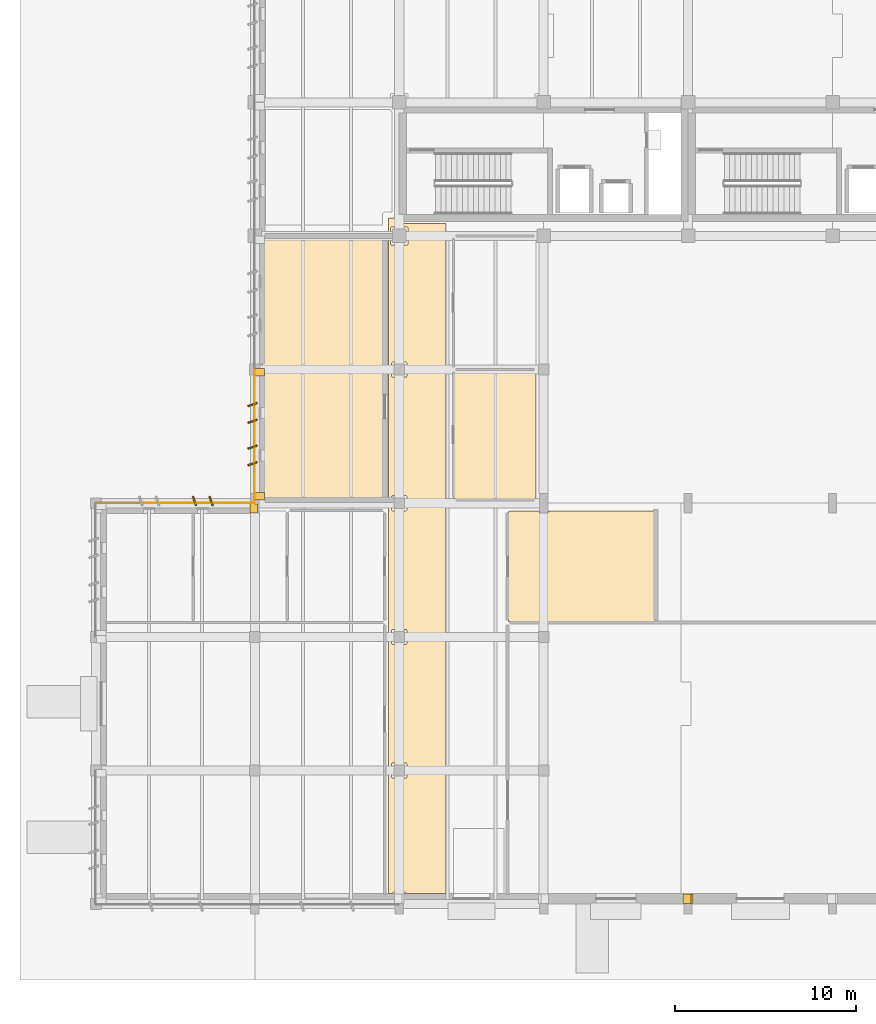
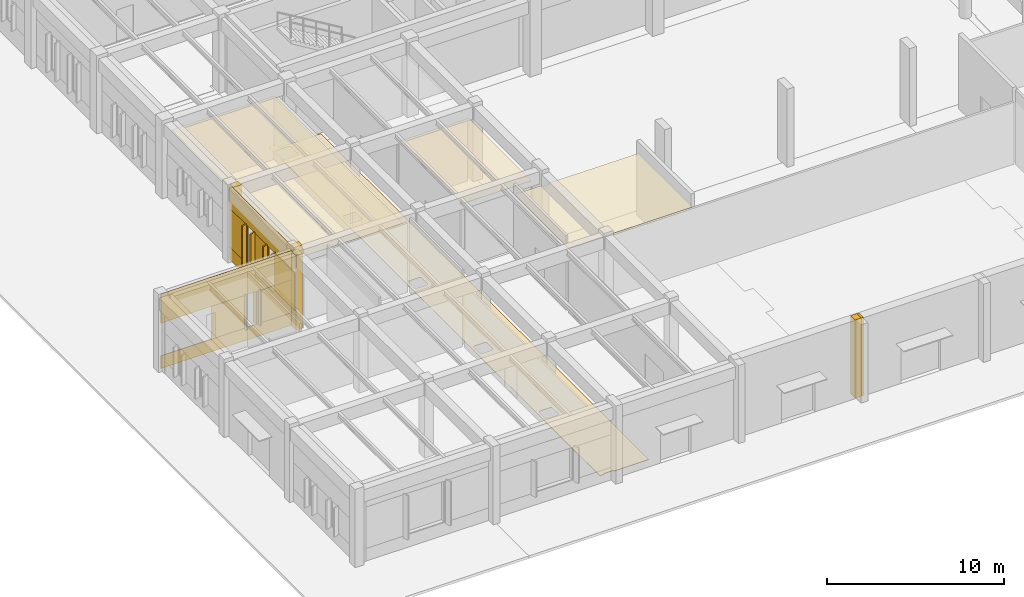
# One storey, part 34 of 56: 24 coverings.
"""IFC4 building model written with IfcOpenShell, lengths in metres."""

import ifcopenshell
import ifcopenshell.guid

model = None  # the IFC model being written
_history = None  # IfcOwnerHistory: only IFC2X3 demands one
_inside = {}  # id of a spatial element -> (the spatial element, [elements in it])
_under = {}  # id of a project, library or spatial element -> (it, [spatial elements below it])
_declared = {}  # id of a project -> (the project, [libraries it declares])
_typed = {}  # id of a type object -> (the type object, [elements of that type])
_made_of = {}  # id of a material, layer set ... -> (it, [elements and type objects made of it])


def new_model(schema):
    """Start an empty IFC model of exactly this schema.

    Asked for "IFC4X3", IfcOpenShell would pick the latest addendum, in which some entities
    have other attributes; the version numbers below select the first issue.
    IFC2X3 requires an IfcOwnerHistory on every rooted entity: one is made here for all.
    """
    global model, _history
    if schema == "IFC4X3":
        model = ifcopenshell.file(schema_version=(4, 3, 0, 0))
    else:
        model = ifcopenshell.file(schema=schema)
    _inside.clear()
    _under.clear()
    _declared.clear()
    _typed.clear()
    _made_of.clear()
    _history = None
    if model.schema == "IFC2X3":
        org = make("IfcOrganization", Name="unknown")
        user = make(
            "IfcPersonAndOrganization",
            ThePerson=make("IfcPerson", FamilyName="unknown"),
            TheOrganization=org,
        )
        app = make(
            "IfcApplication",
            ApplicationDeveloper=org,
            Version="unknown",
            ApplicationFullName="unknown",
            ApplicationIdentifier="unknown",
        )
        _history = make(
            "IfcOwnerHistory",
            OwningUser=user,
            OwningApplication=app,
            ChangeAction="ADDED",
            CreationDate=0,
        )
    return model


def make(cls, **values):
    """One entity of the class cls with the attributes given. An attribute that is None is left unset."""
    return model.create_entity(
        cls, **{name: value for name, value in values.items() if value is not None}
    )


def rooted(cls, **values):
    """An entity with a GlobalId (a new one), such as an element, a storey or a relation."""
    return make(cls, GlobalId=ifcopenshell.guid.new(), OwnerHistory=_history, **values)


def si_unit(unit_type, name, prefix=None):
    """IfcSIUnit, for example si_unit("LENGTHUNIT", "METRE", prefix="MILLI")."""
    return make("IfcSIUnit", UnitType=unit_type, Prefix=prefix, Name=name)


def assignment(units):
    """IfcUnitAssignment: the units of a project."""
    return None if units is None else make("IfcUnitAssignment", Units=units)


def point(xyz):
    """IfcCartesianPoint."""
    return None if xyz is None else make("IfcCartesianPoint", Coordinates=xyz)


def direction(xyz):
    """IfcDirection."""
    return None if xyz is None else make("IfcDirection", DirectionRatios=xyz)


def frame(location, z_axis=None, x_axis=None):
    """IfcAxis2Placement3D, a coordinate frame: its origin and axes. An axis left out is left unset."""
    return make(
        "IfcAxis2Placement3D",
        Location=point(location),
        Axis=direction(z_axis),
        RefDirection=direction(x_axis),
    )


def frame_2d(location, x_axis=None):
    """IfcAxis2Placement2D, a coordinate frame in the plane: its origin and x axis."""
    return make(
        "IfcAxis2Placement2D", Location=point(location), RefDirection=direction(x_axis)
    )


def origin():
    """The frame at (0, 0, 0) with its axes left unset."""
    return frame((0.0, 0.0, 0.0))


def origin_2d():
    """The frame at (0, 0) in the plane with its x axis left unset."""
    return frame_2d((0.0, 0.0))


def place(relative_to, where):
    """IfcLocalPlacement: puts the frame where relative to a parent placement (None: the world)."""
    return make(
        "IfcLocalPlacement", PlacementRelTo=relative_to, RelativePlacement=where
    )


def context(
    kind, dimensions, precision=None, world=None, true_north=None, identifier=None
):
    """IfcGeometricRepresentationContext, for example the 3D "Model" context."""
    return make(
        "IfcGeometricRepresentationContext",
        ContextIdentifier=identifier,
        ContextType=kind,
        CoordinateSpaceDimension=dimensions,
        Precision=precision,
        WorldCoordinateSystem=world,
        TrueNorth=true_north,
    )


def subcontext(parent, identifier, kind, view, scale=None):
    """IfcGeometricRepresentationSubContext, for example "Body" below "Model"."""
    return make(
        "IfcGeometricRepresentationSubContext",
        ContextIdentifier=identifier,
        ContextType=kind,
        ParentContext=parent,
        TargetScale=scale,
        TargetView=view,
    )


def project(units=None, contexts=None):
    """IfcProject with its units and contexts."""
    return rooted(
        "IfcProject",
        Name="project",
        RepresentationContexts=contexts,
        UnitsInContext=assignment(units),
    )


def spatial(cls, under=None, at=None, **own):
    """A site, building, storey or space (cls), placed at a placement, below another one or the project."""
    s = rooted(cls, ObjectPlacement=at, **own)
    if under is not None:
        _under.setdefault(under.id(), (under, []))[1].append(s)
    return s


def polyline(points):
    """IfcPolyline through the points."""
    return make("IfcPolyline", Points=[point(p) for p in points])


def profile(cls, at=None, kind="AREA", **sizes):
    """A parametric profile (cls). Its sizes go by their IFC names, for example OverallWidth=200.0."""
    return make(cls, ProfileType=kind, Position=at, **sizes)


def rectangle(**sizes):
    """IfcRectangleProfileDef."""
    return profile("IfcRectangleProfileDef", **sizes)


def outline(outer, holes=None, kind="AREA"):
    """IfcArbitraryClosedProfileDef: a profile drawn as a closed curve; with holes, ...WithVoids."""
    if holes is None:
        return make("IfcArbitraryClosedProfileDef", ProfileType=kind, OuterCurve=outer)
    return make(
        "IfcArbitraryProfileDefWithVoids",
        ProfileType=kind,
        OuterCurve=outer,
        InnerCurves=holes,
    )


def extrude(swept, where, along, depth):
    """IfcExtrudedAreaSolid: the profile swept, set in the frame where, extruded along a direction by depth."""
    return make(
        "IfcExtrudedAreaSolid",
        SweptArea=swept,
        Position=where,
        ExtrudedDirection=direction(along),
        Depth=depth,
    )


def shape(context_of_items, identifier, shape_type, items):
    """IfcShapeRepresentation: the items that make up one representation, for example the "Body"."""
    return make(
        "IfcShapeRepresentation",
        ContextOfItems=context_of_items,
        RepresentationIdentifier=identifier,
        RepresentationType=shape_type,
        Items=items,
    )


def material(Name=None, Category=None):
    """IfcMaterial."""
    return make("IfcMaterial", Name=Name, Category=Category)


def layer(
    of_material, thickness, ventilated=None, Name=None, Category=None, Priority=None
):
    """IfcMaterialLayer: one layer of a wall or slab, of a material (None: an air gap)."""
    return make(
        "IfcMaterialLayer",
        Material=of_material,
        LayerThickness=thickness,
        IsVentilated=ventilated,
        Name=Name,
        Category=Category,
        Priority=Priority,
    )


def layer_set(layers, Name=None):
    """IfcMaterialLayerSet."""
    return make("IfcMaterialLayerSet", MaterialLayers=layers, LayerSetName=Name)


def made_of(thing, what):
    """Note that an element or type object is made of a material, layer set ...; save() writes the relation."""
    if what is not None:
        _made_of.setdefault(what.id(), (what, []))[1].append(thing)
    return thing


def type_object(cls, material=None, **own):
    """A type object (cls), such as IfcWallType, which elements share."""
    return made_of(rooted(cls, **own), material)


def element(
    cls,
    number,
    at=None,
    inside=None,
    cuts=None,
    type_object=None,
    material=None,
    context=None,
    identifier="Body",
    shape_type=None,
    held_by="IfcProductDefinitionShape",
    body=None,
    shapes=None,
    **own,
):
    """One element of the class cls, such as IfcWall. Its Tag is "e" and its number.

    at: its placement. inside: the storey or other place that contains it. cuts: it is an
    opening in that element (IfcRelVoidsElement). A single representation is given by context,
    identifier, shape_type and body (its items); several are given by shapes. held_by: the class
    of the entity that holds the representations. save() writes the other relations.
    """
    e = rooted(cls, Tag="e%d" % number, ObjectPlacement=at, **own)
    if body is not None:
        shapes = [shape(context, identifier, shape_type, body)]
    if shapes is not None:
        e.Representation = make(held_by, Representations=shapes)
    if inside is not None:
        _inside.setdefault(inside.id(), (inside, []))[1].append(e)
    if cuts is not None:
        rooted(
            "IfcRelVoidsElement", RelatingBuildingElement=cuts, RelatedOpeningElement=e
        )
    if type_object is not None:
        _typed.setdefault(type_object.id(), (type_object, []))[1].append(e)
    return made_of(e, material)


def aggregate(whole, parts):
    """IfcRelAggregates: a whole, such as a stair, and the parts it consists of."""
    return rooted("IfcRelAggregates", RelatingObject=whole, RelatedObjects=parts)


def save(model, path):
    """Write the relations noted so far, then the file.

    IfcRelAggregates (storeys below a building ...), IfcRelContainedInSpatialStructure (elements
    in a storey), IfcRelDefinesByType, IfcRelAssociatesMaterial and IfcRelDeclares: one each for
    every whole, place, type object, material and project.
    """
    for whole, parts in _under.values():
        aggregate(whole, parts)
    for where, things in _inside.values():
        rooted(
            "IfcRelContainedInSpatialStructure",
            RelatedElements=things,
            RelatingStructure=where,
        )
    for kind, things in _typed.values():
        rooted("IfcRelDefinesByType", RelatedObjects=things, RelatingType=kind)
    for what, things in _made_of.values():
        rooted("IfcRelAssociatesMaterial", RelatedObjects=things, RelatingMaterial=what)
    for by, libraries in _declared.values():
        rooted("IfcRelDeclares", RelatingContext=by, RelatedDefinitions=libraries)
    model.write(path)


model = new_model("IFC4")

# Units and contexts
model_context = context("Model", 3, precision=1e-05, world=origin(), true_north=direction((0.0, 1.0)))
body_context = subcontext(model_context, "Body", "Model", "MODEL_VIEW")
ifc_project = project(units=[si_unit("LENGTHUNIT", "METRE"), si_unit("AREAUNIT", "SQUARE_METRE"), si_unit("VOLUMEUNIT", "CUBIC_METRE"), si_unit("PLANEANGLEUNIT", "RADIAN"), si_unit("MASSUNIT", "GRAM", prefix="KILO")], contexts=[model_context])

# Site, building, storey
site_placement = place(None, origin())
site = spatial("IfcSite", under=ifc_project, at=site_placement, CompositionType="ELEMENT")
building_placement = place(site_placement, origin())
building = spatial("IfcBuilding", under=site, at=building_placement, Name="Valkorina Park Police Headquarters", CompositionType="ELEMENT")
storey_placement = place(building_placement, origin())
storey = spatial("IfcBuildingStorey", under=building, at=storey_placement, Name="L01", CompositionType="ELEMENT", Elevation=0.0)

# Coverings
ifc_material_1 = material(Name="Acoustic mineral board")
ifc_layer_1 = layer(ifc_material_1, 0.02490234375)
ifc_layer_set_1 = layer_set([ifc_layer_1], Name="Acoustic mineral board")
covering_type_1 = type_object("IfcCoveringType", Name="COV-CEILING-ACOUST", PredefinedType="CEILING", material=ifc_layer_set_1)
covering_1_placement = place(storey_placement, frame((0.0, 0.0, 4.264892578125)))
element("IfcCovering", 1, at=covering_1_placement, inside=storey, type_object=covering_type_1, Name="Public Female WC Acoustic Suspended Ceiling", PredefinedType="CEILING", context=body_context, shape_type="SweptSolid", body=[
    extrude(outline(polyline([(24.3583984375, 22.50439453125), (24.359619140625, 22.51220703125), (24.360107421875, 22.52001953125), (24.360107421875, 29.47998046875), (24.359619140625, 29.48779296875), (24.3583984375, 29.49560546875), (24.356689453125, 29.503173828125), (24.35400390625, 29.510498046875), (24.3505859375, 29.517578125), (24.346435546875, 29.5244140625), (24.341796875, 29.53076171875), (24.336669921875, 29.53662109375), (24.330810546875, 29.541748046875), (24.324462890625, 29.54638671875), (24.317626953125, 29.550537109375), (24.310546875, 29.553955078125), (24.30322265625, 29.556640625), (24.295654296875, 29.55859375), (24.287841796875, 29.5595703125), (24.280029296875, 29.56005859375), (19.919921875, 29.56005859375), (19.912109375, 29.5595703125), (19.904296875, 29.55859375), (19.896728515625, 29.556640625), (19.889404296875, 29.553955078125), (19.88232421875, 29.550537109375), (19.87548828125, 29.54638671875), (19.869140625, 29.541748046875), (19.86328125, 29.53662109375), (19.858154296875, 29.53076171875), (19.853515625, 29.5244140625), (19.849365234375, 29.517578125), (19.84619140625, 29.510498046875), (19.843505859375, 29.503173828125), (19.841552734375, 29.49560546875), (19.84033203125, 29.48779296875), (19.840087890625, 29.47998046875), (19.840087890625, 22.52001953125), (19.84033203125, 22.51220703125), (19.841552734375, 22.50439453125), (19.843505859375, 22.496826171875), (19.84619140625, 22.489501953125), (19.849365234375, 22.482421875), (19.853515625, 22.4755859375), (19.858154296875, 22.46923828125), (19.86328125, 22.46337890625), (19.869140625, 22.458251953125), (19.87548828125, 22.45361328125), (19.88232421875, 22.449462890625), (19.889404296875, 22.446044921875), (19.896728515625, 22.443359375), (19.904296875, 22.44140625), (19.912109375, 22.4404296875), (19.919921875, 22.43994140625), (24.280029296875, 22.43994140625), (24.287841796875, 22.4404296875), (24.295654296875, 22.44140625), (24.30322265625, 22.443359375), (24.310546875, 22.446044921875), (24.317626953125, 22.449462890625), (24.324462890625, 22.45361328125), (24.330810546875, 22.458251953125), (24.336669921875, 22.46337890625), (24.341796875, 22.46923828125), (24.346435546875, 22.4755859375), (24.3505859375, 22.482421875), (24.35400390625, 22.489501953125), (24.356689453125, 22.496826171875), (24.3583984375, 22.50439453125)])), origin(), (0.0, 0.0, 1.0), 0.025146484375),
])
covering_2_placement = place(storey_placement, frame((0.0, 0.0, 4.264892578125)))
element("IfcCovering", 2, at=covering_2_placement, inside=storey, type_object=covering_type_1, Name="Public Interview Room 1 Acoustic Suspended Ceiling", PredefinedType="CEILING", context=body_context, shape_type="SweptSolid", body=[
    extrude(outline(polyline([(25.02490234375, 21.749267578125), (25.02490234375, 21.64990234375), (24.574951171875, 21.64990234375), (24.574951171875, 21.749267578125), (24.57275390625, 21.75048828125), (24.565673828125, 21.75390625), (24.55810546875, 21.756591796875), (24.550537109375, 21.758544921875), (24.542724609375, 21.759521484375), (24.534912109375, 21.760009765625), (22.919921875, 21.760009765625), (22.912109375, 21.759521484375), (22.904296875, 21.758544921875), (22.896728515625, 21.756591796875), (22.889404296875, 21.75390625), (22.88232421875, 21.75048828125), (22.87548828125, 21.74658203125), (22.869140625, 21.74169921875), (22.86328125, 21.736572265625), (22.858154296875, 21.730712890625), (22.853515625, 21.724365234375), (22.849365234375, 21.7177734375), (22.84619140625, 21.710693359375), (22.843505859375, 21.703125), (22.841552734375, 21.695556640625), (22.84033203125, 21.687744140625), (22.840087890625, 21.679931640625), (22.840087890625, 15.719970703125), (22.84033203125, 15.712158203125), (22.841552734375, 15.704345703125), (22.843505859375, 15.69677734375), (22.84619140625, 15.689453125), (22.849365234375, 15.682373046875), (22.853515625, 15.675537109375), (22.858154296875, 15.669189453125), (22.86328125, 15.663330078125), (22.869140625, 15.658203125), (22.87548828125, 15.653564453125), (22.88232421875, 15.6494140625), (22.889404296875, 15.64599609375), (22.896728515625, 15.643310546875), (22.904296875, 15.6416015625), (22.912109375, 15.640380859375), (22.919921875, 15.639892578125), (30.8798828125, 15.639892578125), (30.8876953125, 15.640380859375), (30.8955078125, 15.6416015625), (30.9033203125, 15.643310546875), (30.91064453125, 15.64599609375), (30.917724609375, 15.6494140625), (30.92431640625, 15.653564453125), (30.930908203125, 15.658203125), (30.9365234375, 15.663330078125), (30.94189453125, 15.669189453125), (30.946533203125, 15.675537109375), (30.95068359375, 15.682373046875), (30.953857421875, 15.689453125), (30.95654296875, 15.69677734375), (30.95849609375, 15.704345703125), (30.959716796875, 15.712158203125), (30.9599609375, 15.719970703125), (30.9599609375, 21.679931640625), (30.959716796875, 21.687744140625), (30.95849609375, 21.695556640625), (30.95654296875, 21.703125), (30.953857421875, 21.710693359375), (30.95068359375, 21.7177734375), (30.946533203125, 21.724365234375), (30.94189453125, 21.730712890625), (30.9365234375, 21.736572265625), (30.930908203125, 21.74169921875), (30.92431640625, 21.74658203125), (30.917724609375, 21.75048828125), (30.91064453125, 21.75390625), (30.9033203125, 21.756591796875), (30.8955078125, 21.758544921875), (30.8876953125, 21.759521484375), (30.8798828125, 21.760009765625), (25.06494140625, 21.760009765625), (25.05712890625, 21.759521484375), (25.04931640625, 21.758544921875), (25.041748046875, 21.756591796875), (25.034423828125, 21.75390625), (25.02734375, 21.75048828125), (25.02490234375, 21.749267578125)])), origin(), (0.0, 0.0, 1.0), 0.025146484375),
])
covering_3_placement = place(storey_placement, frame((0.0, 0.0, 4.264892578125)))
element("IfcCovering", 3, at=covering_3_placement, inside=storey, type_object=covering_type_1, Name="Fire Command Centre Acoustic Suspended Ceiling", PredefinedType="CEILING", context=body_context, shape_type="SweptSolid", body=[
    extrude(outline(polyline([(15.95849609375, 22.50439453125), (15.959716796875, 22.51220703125), (15.9599609375, 22.52001953125), (15.9599609375, 36.8798828125), (15.959716796875, 36.8876953125), (15.95849609375, 36.8955078125), (15.95654296875, 36.9033203125), (15.953857421875, 36.91064453125), (15.95068359375, 36.917724609375), (15.946533203125, 36.92431640625), (15.94189453125, 36.930908203125), (15.9365234375, 36.9365234375), (15.930908203125, 36.94189453125), (15.92431640625, 36.946533203125), (15.917724609375, 36.95068359375), (15.91064453125, 36.953857421875), (15.9033203125, 36.95654296875), (15.8955078125, 36.95849609375), (15.8876953125, 36.959716796875), (15.8798828125, 36.9599609375), (9.320068359375, 36.9599609375), (9.312255859375, 36.959716796875), (9.304443359375, 36.95849609375), (9.296875, 36.95654296875), (9.289306640625, 36.953857421875), (9.2822265625, 36.95068359375), (9.275634765625, 36.946533203125), (9.269287109375, 36.94189453125), (9.263427734375, 36.9365234375), (9.25830078125, 36.930908203125), (9.25341796875, 36.92431640625), (9.24951171875, 36.917724609375), (9.24609375, 36.91064453125), (9.243408203125, 36.9033203125), (9.241455078125, 36.8955078125), (9.240478515625, 36.8876953125), (9.239990234375, 36.8798828125), (9.239990234375, 22.52001953125), (9.240478515625, 22.51220703125), (9.241455078125, 22.50439453125), (9.243408203125, 22.496826171875), (9.24609375, 22.489501953125), (9.24951171875, 22.482421875), (9.25341796875, 22.4755859375), (9.25830078125, 22.46923828125), (9.263427734375, 22.46337890625), (9.269287109375, 22.458251953125), (9.275634765625, 22.45361328125), (9.2822265625, 22.449462890625), (9.289306640625, 22.446044921875), (9.296875, 22.443359375), (9.304443359375, 22.44140625), (9.312255859375, 22.4404296875), (9.320068359375, 22.43994140625), (15.8798828125, 22.43994140625), (15.8876953125, 22.4404296875), (15.8955078125, 22.44140625), (15.9033203125, 22.443359375), (15.91064453125, 22.446044921875), (15.917724609375, 22.449462890625), (15.92431640625, 22.45361328125), (15.930908203125, 22.458251953125), (15.9365234375, 22.46337890625), (15.94189453125, 22.46923828125), (15.946533203125, 22.4755859375), (15.95068359375, 22.482421875), (15.953857421875, 22.489501953125), (15.95654296875, 22.496826171875), (15.95849609375, 22.50439453125)])), origin(), (0.0, 0.0, 1.0), 0.025146484375),
])
ifc_material_2 = material(Name="Precast concrete C40/50", Category="concrete")
ifc_layer_2 = layer(ifc_material_2, 0.044921875)
ifc_layer_set_2 = layer_set([ifc_layer_2], Name="Precast concrete C40/50")
covering_type_2 = type_object("IfcCoveringType", Name="COV-CLAD-DOLOMITE", PredefinedType="CLADDING", material=ifc_layer_set_2)
covering_4_placement = place(storey_placement, frame((8.735107421875, 21.909912109375, 0.0), z_axis=(0.0, 0.0, 1.0), x_axis=(1.0, 0.0, 0.0)))
element("IfcCovering", 4, at=covering_4_placement, inside=storey, type_object=covering_type_2, Name="L01 Exterior Joint Closure Pilaster B 0025", PredefinedType="CLADDING", context=body_context, shape_type="SweptSolid", body=[
    extrude(rectangle(XDim=0.419921875, YDim=0.52197265625, at=origin_2d()), origin(), (0.0, 0.0, 1.0), 5.139892578125),
])
for number, where, z_axis, x_axis, name in (
    (5, (5.46337890625, 22.320068359375, 0.780029296875), (0.0, 0.0, 1.0), (-0.317304656405, 0.948323655206, 0.0), "Slanted 18.5-deg Precast Window Slot Fin 0028"),
    (6, (6.38330078125, 22.320068359375, 0.780029296875), (0.0, 0.0, 1.0), (-0.317304656405, 0.948323655206, 0.0), "Slanted 18.5-deg Precast Window Slot Fin 0029"),
):
    element("IfcCovering", number, at=place(storey_placement, frame(where, z_axis=z_axis, x_axis=x_axis)), inside=storey, type_object=covering_type_2, Name=name, PredefinedType="CLADDING", context=body_context, shape_type="SweptSolid", body=[
        extrude(rectangle(XDim=0.5400390625, YDim=0.090087890625, at=origin_2d()), origin(), (0.0, 0.0, 1.0), 2.43994140625),
    ])
covering_5_placement = place(storey_placement, frame((0.02001953125, 22.215087890625, 0.0), z_axis=(0.0, 0.0, 1.0), x_axis=(1.0, 0.0, 0.0)))
element("IfcCovering", 7, at=covering_5_placement, inside=storey, type_object=covering_type_2, Name="L01 Calm Concrete Base Sill Spandrel 0030", PredefinedType="CLADDING", context=body_context, shape_type="SweptSolid", body=[
    extrude(rectangle(XDim=8.760009765625, YDim=0.044921875, at=frame_2d((4.3798828125, 0.0))), origin(), (0.0, 0.0, 1.0), 0.8701171875),
])
covering_6_placement = place(storey_placement, frame((0.02001953125, 22.215087890625, 3.1298828125), z_axis=(0.0, 0.0, 1.0), x_axis=(1.0, 0.0, 0.0)))
element("IfcCovering", 8, at=covering_6_placement, inside=storey, type_object=covering_type_2, Name="L01 Calm Concrete Base Lintel Spandrel 0031", PredefinedType="CLADDING", context=body_context, shape_type="SweptSolid", body=[
    extrude(rectangle(XDim=8.760009765625, YDim=0.044921875, at=frame_2d((4.3798828125, 0.0))), origin(), (0.0, 0.0, 1.0), 2.010009765625),
])
covering_7_placement = place(storey_placement, frame((3.301513671875, 22.215087890625, 0.8701171875), z_axis=(0.0, 0.0, 1.0), x_axis=(1.0, 0.0, 0.0)))
element("IfcCovering", 9, at=covering_7_placement, inside=storey, type_object=covering_type_2, Name="L01 Calm Concrete Base Slot Pier 0033", PredefinedType="CLADDING", context=body_context, shape_type="SweptSolid", body=[
    extrude(rectangle(XDim=2.27197265625, YDim=0.044921875, at=frame_2d((1.135986328125, 0.0))), origin(), (0.0, 0.0, 1.0), 2.259765625),
])
covering_8_placement = place(storey_placement, frame((6.2734375, 22.215087890625, 0.8701171875), z_axis=(0.0, 0.0, 1.0), x_axis=(1.0, 0.0, 0.0)))
element("IfcCovering", 10, at=covering_8_placement, inside=storey, type_object=covering_type_2, Name="L01 Calm Concrete Base Slot Pier 0034", PredefinedType="CLADDING", context=body_context, shape_type="SweptSolid", body=[
    extrude(rectangle(XDim=2.506591796875, YDim=0.044921875, at=frame_2d((1.25341796875, 0.0))), origin(), (0.0, 0.0, 1.0), 2.259765625),
])
for number, where, z_axis, x_axis, name in (
    (11, (9.090087890625, 22.590087890625, 0.0), (0.0, 0.0, 1.0), (0.0, 1.0, 0.0), "L01 Exterior Joint Closure Pilaster A 0035"),
    (12, (9.090087890625, 29.4599609375, 0.0), (0.0, 0.0, 1.0), (0.0, 1.0, 0.0), "L01 Exterior Joint Closure Pilaster B 0036"),
):
    element("IfcCovering", number, at=place(storey_placement, frame(where, z_axis=z_axis, x_axis=x_axis)), inside=storey, type_object=covering_type_2, Name=name, PredefinedType="CLADDING", context=body_context, shape_type="SweptSolid", body=[
        extrude(rectangle(XDim=0.419921875, YDim=0.52197265625, at=origin_2d()), origin(), (0.0, 0.0, 1.0), 5.139892578125),
    ])
for number, where, z_axis, x_axis, name in (
    (13, (8.679931640625, 24.3896484375, 0.77978515625), (0.0, 0.0, 1.0), (-0.948323655206, -0.317304656405, 0.0), "Slanted 18.5-deg Precast Window Slot Fin 0037"),
    (14, (8.679931640625, 25.3095703125, 0.77978515625), (0.0, 0.0, 1.0), (-0.948323655206, -0.317304656405, 0.0), "Slanted 18.5-deg Precast Window Slot Fin 0038"),
    (15, (8.679931640625, 26.740478515625, 0.77978515625), (0.0, 0.0, 1.0), (-0.948323655206, -0.317304656405, 0.0), "Slanted 18.5-deg Precast Window Slot Fin 0039"),
    (16, (8.679931640625, 27.660400390625, 0.77978515625), (0.0, 0.0, 1.0), (-0.948323655206, -0.317304656405, 0.0), "Slanted 18.5-deg Precast Window Slot Fin 0040"),
):
    element("IfcCovering", number, at=place(storey_placement, frame(where, z_axis=z_axis, x_axis=x_axis)), inside=storey, type_object=covering_type_2, Name=name, PredefinedType="CLADDING", context=body_context, shape_type="SweptSolid", body=[
        extrude(rectangle(XDim=0.5400390625, YDim=0.090087890625, at=origin_2d()), origin(), (0.0, 0.0, 1.0), 2.840087890625),
    ])
covering_9_placement = place(storey_placement, frame((8.784912109375, 22.219970703125, 0.0), z_axis=(0.0, 0.0, 1.0), x_axis=(0.0, 1.0, 0.0)))
element("IfcCovering", 17, at=covering_9_placement, inside=storey, type_object=covering_type_2, Name="L01 Calm Concrete Base Sill Spandrel 0041", PredefinedType="CLADDING", context=body_context, shape_type="SweptSolid", body=[
    extrude(rectangle(XDim=7.360107421875, YDim=0.044921875, at=frame_2d((3.68017578125, 0.0))), origin(), (0.0, 0.0, 1.0), 0.8701171875),
])
covering_10_placement = place(storey_placement, frame((8.784912109375, 22.219970703125, 3.530029296875), z_axis=(0.0, 0.0, 1.0), x_axis=(0.0, 1.0, 0.0)))
element("IfcCovering", 18, at=covering_10_placement, inside=storey, type_object=covering_type_2, Name="L01 Calm Concrete Base Lintel Spandrel 0042", PredefinedType="CLADDING", context=body_context, shape_type="SweptSolid", body=[
    extrude(rectangle(XDim=7.360107421875, YDim=0.044921875, at=frame_2d((3.68017578125, 0.0))), origin(), (0.0, 0.0, 1.0), 1.60986328125),
])
covering_11_placement = place(storey_placement, frame((8.784912109375, 22.219970703125, 0.8701171875), z_axis=(0.0, 0.0, 1.0), x_axis=(0.0, 1.0, 0.0)))
element("IfcCovering", 19, at=covering_11_placement, inside=storey, type_object=covering_type_2, Name="L01 Calm Concrete Base Slot Pier 0043", PredefinedType="CLADDING", context=body_context, shape_type="SweptSolid", body=[
    extrude(rectangle(XDim=2.279541015625, YDim=0.044921875, at=frame_2d((1.1396484375, 0.0))), origin(), (0.0, 0.0, 1.0), 2.659912109375),
])
covering_12_placement = place(storey_placement, frame((8.784912109375, 25.19970703125, 0.8701171875), z_axis=(0.0, 0.0, 1.0), x_axis=(0.0, 1.0, 0.0)))
element("IfcCovering", 20, at=covering_12_placement, inside=storey, type_object=covering_type_2, Name="L01 Calm Concrete Base Slot Pier 0044", PredefinedType="CLADDING", context=body_context, shape_type="SweptSolid", body=[
    extrude(rectangle(XDim=1.650634765625, YDim=0.044921875, at=frame_2d((0.8251953125, 0.0))), origin(), (0.0, 0.0, 1.0), 2.659912109375),
])
covering_13_placement = place(storey_placement, frame((8.784912109375, 27.55029296875, 0.8701171875), z_axis=(0.0, 0.0, 1.0), x_axis=(0.0, 1.0, 0.0)))
element("IfcCovering", 21, at=covering_13_placement, inside=storey, type_object=covering_type_2, Name="L01 Calm Concrete Base Slot Pier 0045", PredefinedType="CLADDING", context=body_context, shape_type="SweptSolid", body=[
    extrude(rectangle(XDim=2.02978515625, YDim=0.044921875, at=frame_2d((1.014892578125, 0.0))), origin(), (0.0, 0.0, 1.0), 2.659912109375),
])
for number, where, z_axis, x_axis, name in (
    (22, (32.864990234375, 0.2900390625, 0.0), (0.0, 0.0, 1.0), (1.0, 0.0, 0.0), "L01 Exterior Joint Closure Pilaster B 0798"),
    (23, (32.735107421875, 0.2900390625, 0.0), (0.0, 0.0, 1.0), (1.0, 0.0, 0.0), "L01 Exterior Joint Closure Pilaster A 0799"),
):
    element("IfcCovering", number, at=place(storey_placement, frame(where, z_axis=z_axis, x_axis=x_axis)), inside=storey, type_object=covering_type_2, Name=name, PredefinedType="CLADDING", context=body_context, shape_type="SweptSolid", body=[
        extrude(rectangle(XDim=0.419921875, YDim=0.52197265625, at=origin_2d()), origin(), (0.0, 0.0, 1.0), 5.39990234375),
    ])
ifc_material_3 = material(Name="Resin terrazzo flooring")
ifc_layer_3 = layer(ifc_material_3, 0.030029296875)
ifc_layer_set_3 = layer_set([ifc_layer_3], Name="Resin terrazzo flooring")
covering_type_3 = type_object("IfcCoveringType", Name="COV-FLOOR-TERRAZZO", PredefinedType="FLOORING", material=ifc_layer_set_3)
covering_14_placement = place(storey_placement, origin())
element("IfcCovering", 24, at=covering_14_placement, inside=storey, type_object=covering_type_3, Name="Protected South-West Exit Corridor Terrazzo Flooring", PredefinedType="FLOORING", context=body_context, shape_type="SweptSolid", body=[
    extrude(outline(polyline([(16.45654296875, 0.605712890625), (16.45849609375, 0.61328125), (16.461181640625, 0.62060546875), (16.46435546875, 0.627685546875), (16.468505859375, 0.634521484375), (16.47314453125, 0.640869140625), (16.478515625, 0.646484375), (16.484130859375, 0.65185546875), (16.490478515625, 0.656494140625), (16.497314453125, 0.66064453125), (16.50439453125, 0.663818359375), (16.51171875, 0.66650390625), (16.519287109375, 0.66845703125), (16.527099609375, 0.669677734375), (16.534912109375, 0.669921875), (17.06494140625, 0.669921875), (17.07275390625, 0.669677734375), (17.08056640625, 0.66845703125), (17.088134765625, 0.66650390625), (17.095703125, 0.663818359375), (17.102783203125, 0.66064453125), (17.109375, 0.656494140625), (17.11572265625, 0.65185546875), (17.12158203125, 0.646484375), (17.126708984375, 0.640869140625), (17.131591796875, 0.634521484375), (17.135498046875, 0.627685546875), (17.138916015625, 0.62060546875), (17.1416015625, 0.61328125), (17.1435546875, 0.605712890625), (17.144287109375, 0.60009765625), (19.39990234375, 0.60009765625), (19.39990234375, 37.679931640625), (16.800048828125, 37.679931640625), (16.796142578125, 37.68017578125), (16.792236328125, 37.680419921875), (16.7841796875, 37.68115234375), (16.780517578125, 37.681640625), (16.772705078125, 37.68310546875), (16.76904296875, 37.68408203125), (16.761474609375, 37.686279296875), (16.7578125, 37.687744140625), (16.75048828125, 37.690673828125), (16.746826171875, 37.6923828125), (16.739990234375, 37.696044921875), (16.736572265625, 37.697998046875), (16.72998046875, 37.702392578125), (16.72705078125, 37.704833984375), (16.720947265625, 37.709716796875), (16.718017578125, 37.71240234375), (16.71240234375, 37.718017578125), (16.709716796875, 37.720947265625), (16.704833984375, 37.72705078125), (16.702392578125, 37.72998046875), (16.697998046875, 37.736572265625), (16.696044921875, 37.739990234375), (16.6923828125, 37.746826171875), (16.690673828125, 37.75048828125), (16.687744140625, 37.7578125), (16.686279296875, 37.761474609375), (16.68408203125, 37.76904296875), (16.68310546875, 37.772705078125), (16.681640625, 37.780517578125), (16.68115234375, 37.7841796875), (16.680419921875, 37.792236328125), (16.68017578125, 37.796142578125), (16.679931640625, 37.800048828125), (16.679931640625, 38.0), (16.199951171875, 38.0), (16.199951171875, 0.60009765625), (16.455810546875, 0.60009765625), (16.45654296875, 0.605712890625)]), holes=[polyline([(17.294921875, 36.5849609375), (17.294677734375, 36.5771484375), (17.29345703125, 36.5693359375), (17.29150390625, 36.561767578125), (17.288818359375, 36.554443359375), (17.28564453125, 36.54736328125), (17.281494140625, 36.54052734375), (17.27685546875, 36.5341796875), (17.271484375, 36.5283203125), (17.265869140625, 36.523193359375), (17.259521484375, 36.5185546875), (17.252685546875, 36.514404296875), (17.24560546875, 36.510986328125), (17.23828125, 36.50830078125), (17.230712890625, 36.506591796875), (17.222900390625, 36.50537109375), (17.215087890625, 36.5048828125), (16.385009765625, 36.5048828125), (16.377197265625, 36.50537109375), (16.369384765625, 36.506591796875), (16.36181640625, 36.50830078125), (16.3544921875, 36.510986328125), (16.347412109375, 36.514404296875), (16.340576171875, 36.5185546875), (16.334228515625, 36.523193359375), (16.328369140625, 36.5283203125), (16.3232421875, 36.5341796875), (16.318603515625, 36.54052734375), (16.314453125, 36.54736328125), (16.31103515625, 36.554443359375), (16.308349609375, 36.561767578125), (16.306396484375, 36.5693359375), (16.305419921875, 36.5771484375), (16.304931640625, 36.5849609375), (16.304931640625, 37.4150390625), (16.305419921875, 37.4228515625), (16.306396484375, 37.4306640625), (16.308349609375, 37.438232421875), (16.31103515625, 37.445556640625), (16.314453125, 37.45263671875), (16.318603515625, 37.45947265625), (16.3232421875, 37.4658203125), (16.328369140625, 37.4716796875), (16.334228515625, 37.476806640625), (16.340576171875, 37.4814453125), (16.347412109375, 37.485595703125), (16.3544921875, 37.489013671875), (16.36181640625, 37.49169921875), (16.369384765625, 37.493408203125), (16.377197265625, 37.49462890625), (16.385009765625, 37.4951171875), (17.215087890625, 37.4951171875), (17.222900390625, 37.49462890625), (17.230712890625, 37.493408203125), (17.23828125, 37.49169921875), (17.24560546875, 37.489013671875), (17.252685546875, 37.485595703125), (17.259521484375, 37.4814453125), (17.265869140625, 37.476806640625), (17.271484375, 37.4716796875), (17.27685546875, 37.4658203125), (17.281494140625, 37.45947265625), (17.28564453125, 37.45263671875), (17.288818359375, 37.445556640625), (17.29150390625, 37.438232421875), (17.29345703125, 37.4306640625), (17.294677734375, 37.4228515625), (17.294921875, 37.4150390625), (17.294921875, 36.5849609375)]), polyline([(17.139892578125, 22.6201171875), (17.147705078125, 22.61962890625), (17.155517578125, 22.618408203125), (17.1630859375, 22.61669921875), (17.170654296875, 22.614013671875), (17.177734375, 22.610595703125), (17.184326171875, 22.6064453125), (17.19091796875, 22.601806640625), (17.196533203125, 22.5966796875), (17.201904296875, 22.5908203125), (17.20654296875, 22.58447265625), (17.210693359375, 22.57763671875), (17.2138671875, 22.570556640625), (17.216552734375, 22.563232421875), (17.218505859375, 22.5556640625), (17.219482421875, 22.5478515625), (17.219970703125, 22.5400390625), (17.219970703125, 21.860107421875), (17.219482421875, 21.852294921875), (17.218505859375, 21.844482421875), (17.216552734375, 21.8369140625), (17.2138671875, 21.829345703125), (17.210693359375, 21.822265625), (17.20654296875, 21.815673828125), (17.201904296875, 21.80908203125), (17.196533203125, 21.803466796875), (17.19091796875, 21.798095703125), (17.184326171875, 21.79345703125), (17.177734375, 21.789306640625), (17.170654296875, 21.7861328125), (17.1630859375, 21.783447265625), (17.155517578125, 21.781494140625), (17.147705078125, 21.780517578125), (17.139892578125, 21.780029296875), (16.4599609375, 21.780029296875), (16.4521484375, 21.780517578125), (16.4443359375, 21.781494140625), (16.436767578125, 21.783447265625), (16.429443359375, 21.7861328125), (16.42236328125, 21.789306640625), (16.41552734375, 21.79345703125), (16.4091796875, 21.798095703125), (16.4033203125, 21.803466796875), (16.398193359375, 21.80908203125), (16.3935546875, 21.815673828125), (16.389404296875, 21.822265625), (16.385986328125, 21.829345703125), (16.38330078125, 21.8369140625), (16.381591796875, 21.844482421875), (16.38037109375, 21.852294921875), (16.3798828125, 21.860107421875), (16.3798828125, 22.5400390625), (16.38037109375, 22.5478515625), (16.381591796875, 22.5556640625), (16.38330078125, 22.563232421875), (16.385986328125, 22.570556640625), (16.389404296875, 22.57763671875), (16.3935546875, 22.58447265625), (16.398193359375, 22.5908203125), (16.4033203125, 22.5966796875), (16.4091796875, 22.601806640625), (16.41552734375, 22.6064453125), (16.42236328125, 22.610595703125), (16.429443359375, 22.614013671875), (16.436767578125, 22.61669921875), (16.4443359375, 22.618408203125), (16.4521484375, 22.61962890625), (16.4599609375, 22.6201171875), (17.139892578125, 22.6201171875)]), polyline([(17.219970703125, 7.06005859375), (17.219482421875, 7.05224609375), (17.218505859375, 7.04443359375), (17.216552734375, 7.036865234375), (17.2138671875, 7.029296875), (17.210693359375, 7.022216796875), (17.20654296875, 7.015625), (17.201904296875, 7.00927734375), (17.196533203125, 7.00341796875), (17.19091796875, 6.998291015625), (17.184326171875, 6.993408203125), (17.177734375, 6.989501953125), (17.170654296875, 6.986083984375), (17.1630859375, 6.9833984375), (17.155517578125, 6.9814453125), (17.147705078125, 6.98046875), (17.139892578125, 6.97998046875), (16.4599609375, 6.97998046875), (16.4521484375, 6.98046875), (16.4443359375, 6.9814453125), (16.436767578125, 6.9833984375), (16.429443359375, 6.986083984375), (16.42236328125, 6.989501953125), (16.41552734375, 6.993408203125), (16.4091796875, 6.998291015625), (16.4033203125, 7.00341796875), (16.398193359375, 7.00927734375), (16.3935546875, 7.015625), (16.389404296875, 7.022216796875), (16.385986328125, 7.029296875), (16.38330078125, 7.036865234375), (16.381591796875, 7.04443359375), (16.38037109375, 7.05224609375), (16.3798828125, 7.06005859375), (16.3798828125, 7.739990234375), (16.38037109375, 7.747802734375), (16.381591796875, 7.755615234375), (16.38330078125, 7.76318359375), (16.385986328125, 7.7705078125), (16.389404296875, 7.777587890625), (16.3935546875, 7.784423828125), (16.398193359375, 7.790771484375), (16.4033203125, 7.796630859375), (16.4091796875, 7.8017578125), (16.41552734375, 7.806396484375), (16.42236328125, 7.810546875), (16.429443359375, 7.81396484375), (16.436767578125, 7.816650390625), (16.4443359375, 7.818603515625), (16.4521484375, 7.819580078125), (16.4599609375, 7.820068359375), (17.139892578125, 7.820068359375), (17.147705078125, 7.819580078125), (17.155517578125, 7.818603515625), (17.1630859375, 7.816650390625), (17.170654296875, 7.81396484375), (17.177734375, 7.810546875), (17.184326171875, 7.806396484375), (17.19091796875, 7.8017578125), (17.196533203125, 7.796630859375), (17.201904296875, 7.790771484375), (17.20654296875, 7.784423828125), (17.210693359375, 7.777587890625), (17.2138671875, 7.7705078125), (17.216552734375, 7.76318359375), (17.218505859375, 7.755615234375), (17.219482421875, 7.747802734375), (17.219970703125, 7.739990234375), (17.219970703125, 7.06005859375)]), polyline([(17.219970703125, 14.4599609375), (17.219482421875, 14.4521484375), (17.218505859375, 14.4443359375), (17.216552734375, 14.436767578125), (17.2138671875, 14.429443359375), (17.210693359375, 14.42236328125), (17.20654296875, 14.41552734375), (17.201904296875, 14.4091796875), (17.196533203125, 14.4033203125), (17.19091796875, 14.398193359375), (17.184326171875, 14.3935546875), (17.177734375, 14.389404296875), (17.170654296875, 14.385986328125), (17.1630859375, 14.38330078125), (17.155517578125, 14.381591796875), (17.147705078125, 14.38037109375), (17.139892578125, 14.3798828125), (16.4599609375, 14.3798828125), (16.4521484375, 14.38037109375), (16.4443359375, 14.381591796875), (16.436767578125, 14.38330078125), (16.429443359375, 14.385986328125), (16.42236328125, 14.389404296875), (16.41552734375, 14.3935546875), (16.4091796875, 14.398193359375), (16.4033203125, 14.4033203125), (16.398193359375, 14.4091796875), (16.3935546875, 14.41552734375), (16.389404296875, 14.42236328125), (16.385986328125, 14.429443359375), (16.38330078125, 14.436767578125), (16.381591796875, 14.4443359375), (16.38037109375, 14.4521484375), (16.3798828125, 14.4599609375), (16.3798828125, 15.139892578125), (16.38037109375, 15.147705078125), (16.381591796875, 15.155517578125), (16.38330078125, 15.1630859375), (16.385986328125, 15.170654296875), (16.389404296875, 15.177734375), (16.3935546875, 15.184326171875), (16.398193359375, 15.19091796875), (16.4033203125, 15.196533203125), (16.4091796875, 15.201904296875), (16.41552734375, 15.20654296875), (16.42236328125, 15.210693359375), (16.429443359375, 15.2138671875), (16.436767578125, 15.216552734375), (16.4443359375, 15.218505859375), (16.4521484375, 15.219482421875), (16.4599609375, 15.219970703125), (17.139892578125, 15.219970703125), (17.147705078125, 15.219482421875), (17.155517578125, 15.218505859375), (17.1630859375, 15.216552734375), (17.170654296875, 15.2138671875), (17.177734375, 15.210693359375), (17.184326171875, 15.20654296875), (17.19091796875, 15.201904296875), (17.196533203125, 15.196533203125), (17.201904296875, 15.19091796875), (17.20654296875, 15.184326171875), (17.210693359375, 15.177734375), (17.2138671875, 15.170654296875), (17.216552734375, 15.1630859375), (17.218505859375, 15.155517578125), (17.219482421875, 15.147705078125), (17.219970703125, 15.139892578125), (17.219970703125, 14.4599609375)]), polyline([(17.219970703125, 29.260009765625), (17.219482421875, 29.252197265625), (17.218505859375, 29.244384765625), (17.216552734375, 29.23681640625), (17.2138671875, 29.2294921875), (17.210693359375, 29.222412109375), (17.20654296875, 29.215576171875), (17.201904296875, 29.209228515625), (17.196533203125, 29.203369140625), (17.19091796875, 29.1982421875), (17.184326171875, 29.193603515625), (17.177734375, 29.189453125), (17.170654296875, 29.18603515625), (17.1630859375, 29.183349609375), (17.155517578125, 29.181396484375), (17.147705078125, 29.180419921875), (17.139892578125, 29.179931640625), (16.4599609375, 29.179931640625), (16.4521484375, 29.180419921875), (16.4443359375, 29.181396484375), (16.436767578125, 29.183349609375), (16.429443359375, 29.18603515625), (16.42236328125, 29.189453125), (16.41552734375, 29.193603515625), (16.4091796875, 29.1982421875), (16.4033203125, 29.203369140625), (16.398193359375, 29.209228515625), (16.3935546875, 29.215576171875), (16.389404296875, 29.222412109375), (16.385986328125, 29.2294921875), (16.38330078125, 29.23681640625), (16.381591796875, 29.244384765625), (16.38037109375, 29.252197265625), (16.3798828125, 29.260009765625), (16.3798828125, 29.93994140625), (16.38037109375, 29.94775390625), (16.381591796875, 29.95556640625), (16.38330078125, 29.963134765625), (16.385986328125, 29.970703125), (16.389404296875, 29.977783203125), (16.3935546875, 29.984375), (16.398193359375, 29.99072265625), (16.4033203125, 29.99658203125), (16.4091796875, 30.001708984375), (16.41552734375, 30.006591796875), (16.42236328125, 30.010498046875), (16.429443359375, 30.013916015625), (16.436767578125, 30.0166015625), (16.4443359375, 30.0185546875), (16.4521484375, 30.01953125), (16.4599609375, 30.02001953125), (17.139892578125, 30.02001953125), (17.147705078125, 30.01953125), (17.155517578125, 30.0185546875), (17.1630859375, 30.0166015625), (17.170654296875, 30.013916015625), (17.177734375, 30.010498046875), (17.184326171875, 30.006591796875), (17.19091796875, 30.001708984375), (17.196533203125, 29.99658203125), (17.201904296875, 29.99072265625), (17.20654296875, 29.984375), (17.210693359375, 29.977783203125), (17.2138671875, 29.970703125), (17.216552734375, 29.963134765625), (17.218505859375, 29.95556640625), (17.219482421875, 29.94775390625), (17.219970703125, 29.93994140625), (17.219970703125, 29.260009765625)])]), origin(), (0.0, 0.0, 1.0), 0.030029296875),
])

save(model, "model.ifc")
